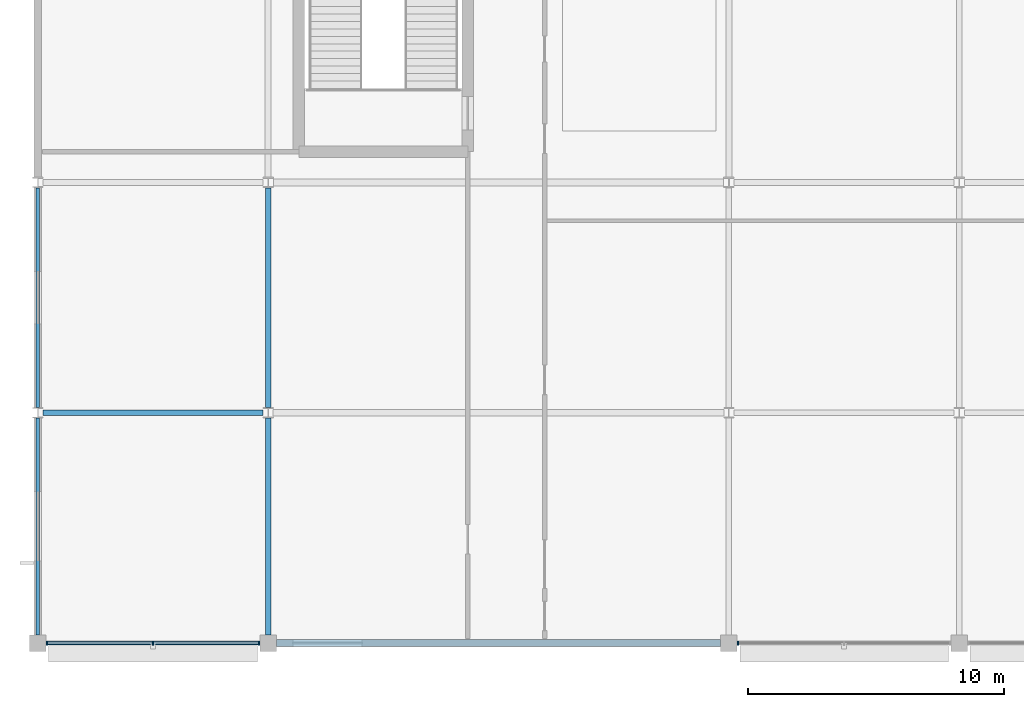
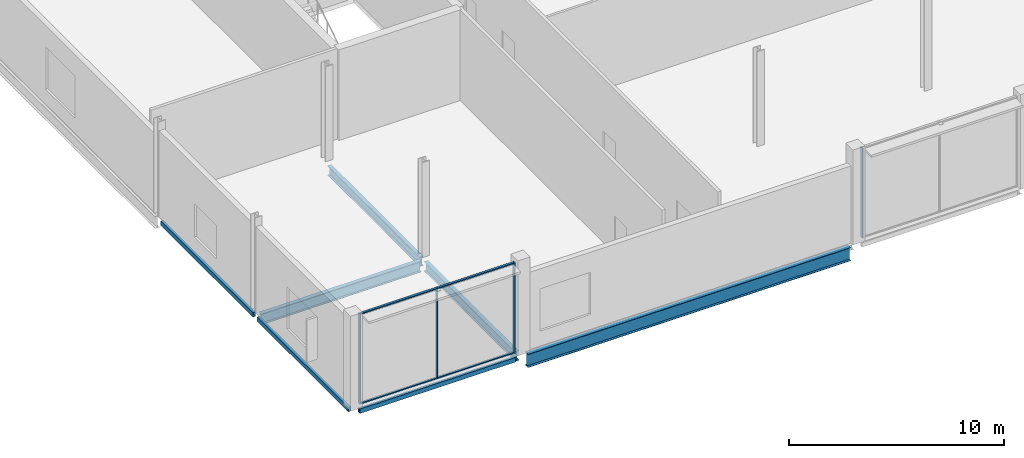
# One storey, part 12 of 111: 8 members, 7 beams, 2 elements without a shape of their own.
"""IFC4 building model written with IfcOpenShell, lengths in metres."""

from ifc_helpers import new_model, si_unit, direction, frame, origin, origin_2d, place, context, subcontext, project, spatial, rectangle, hollow_rectangle, i_section, extrude, material, layer, layer_set, material_profile, profile_set, type_object, element, aggregate, save


model = new_model("IFC4")

# Units and contexts
model_context = context("Model", 3, precision=1e-05, world=origin(), true_north=direction((0.0, 1.0)))
body_context = subcontext(model_context, "Body", "Model", "MODEL_VIEW")
ifc_project = project(units=[si_unit("LENGTHUNIT", "METRE"), si_unit("AREAUNIT", "SQUARE_METRE"), si_unit("VOLUMEUNIT", "CUBIC_METRE"), si_unit("PLANEANGLEUNIT", "RADIAN"), si_unit("MASSUNIT", "GRAM", prefix="KILO")], contexts=[model_context])

# Site, building, storey
site_placement = place(None, origin())
site = spatial("IfcSite", under=ifc_project, at=site_placement, CompositionType="ELEMENT")
building_placement = place(site_placement, origin())
building = spatial("IfcBuilding", under=site, at=building_placement, Name="Kisiwana Market Hall", CompositionType="ELEMENT")
storey_placement = place(building_placement, frame((0.0, 0.0, 11.39990234375)))
storey = spatial("IfcBuildingStorey", under=building, at=storey_placement, Name="L02", CompositionType="ELEMENT", Elevation=11.39990234375)

# Beams
ifc_material_1 = material(Name="Steel S355", Category="steel")
ifc_material_profile_1 = material_profile(ifc_material_1, i_section(OverallWidth=0.209228515625, OverallDepth=0.533203125, WebThickness=0.010009765625, FlangeThickness=0.015625, at=origin_2d()), Name="UB 533x210x92")
ifc_profile_set_1 = profile_set([ifc_material_profile_1], Name="Steel S355")
beam_type_1 = type_object("IfcBeamType", Name="BM-GIRD-UB533", PredefinedType="BEAM", material=ifc_profile_set_1)
beam_1_placement = place(storey_placement, frame((9.0, 0.321044921875, -0.516357421875), z_axis=(0.0, 1.0, 0.0), x_axis=(-1.0, 0.0, 0.0)))
element("IfcBeam", 1, at=beam_1_placement, inside=storey, type_object=beam_type_1, Name="Primary girder B-0601", PredefinedType="BEAM", context=body_context, shape_type="SweptSolid", body=[
    extrude(i_section(OverallWidth=0.209228515625, OverallDepth=0.533203125, WebThickness=0.010009765625, FlangeThickness=0.015625, at=origin_2d()), origin(), (0.0, 0.0, 1.0), 8.479736328125),
])
beam_2_placement = place(storey_placement, frame((9.0, 9.19921875, -0.516357421875), z_axis=(0.0, 1.0, 0.0), x_axis=(-1.0, 0.0, 0.0)))
element("IfcBeam", 2, at=beam_2_placement, inside=storey, type_object=beam_type_1, Name="Primary girder B-0602", PredefinedType="BEAM", context=body_context, shape_type="SweptSolid", body=[
    extrude(i_section(OverallWidth=0.209228515625, OverallDepth=0.533203125, WebThickness=0.010009765625, FlangeThickness=0.015625, at=origin_2d()), origin(), (0.0, 0.0, 1.0), 8.58740234375),
])
ifc_material_2 = material(Name="Steel S355", Category="steel")
ifc_material_profile_2 = material_profile(ifc_material_2, i_section(OverallWidth=0.22900390625, OverallDepth=0.6123046875, WebThickness=0.011962890625, FlangeThickness=0.01953125, at=origin_2d()), Name="UB 610x229x125")
ifc_profile_set_2 = profile_set([ifc_material_profile_2], Name="Steel S355")
beam_type_2 = type_object("IfcBeamType", Name="BM-GIRD-UB610H", PredefinedType="BEAM", material=ifc_profile_set_2)
beam_3_placement = place(storey_placement, frame((0.197509765625, 9.0, -0.555908203125), z_axis=(1.0, 0.0, 0.0), x_axis=(0.0, 1.0, 0.0)))
element("IfcBeam", 3, at=beam_3_placement, inside=storey, type_object=beam_type_2, Name="Floor beam B-0733", PredefinedType="BEAM", context=body_context, shape_type="SweptSolid", body=[
    extrude(i_section(OverallWidth=0.22900390625, OverallDepth=0.6123046875, WebThickness=0.011962890625, FlangeThickness=0.01953125, at=origin_2d()), origin(), (0.0, 0.0, 1.0), 8.60498046875),
])
ifc_material_3 = material(Name="Steel S355", Category="steel")
ifc_material_profile_3 = material_profile(ifc_material_3, i_section(OverallWidth=0.2666015625, OverallDepth=0.76220703125, WebThickness=0.014404296875, FlangeThickness=0.021484375, at=origin_2d()), Name="UB 762x267x173")
ifc_profile_set_3 = profile_set([ifc_material_profile_3], Name="Steel S355")
beam_type_3 = type_object("IfcBeamType", Name="BM-GIRD-UB762", PredefinedType="BEAM", material=ifc_profile_set_3)
beam_4_placement = place(storey_placement, frame((9.321044921875, 0.0, -0.631103515625), z_axis=(1.0, 0.0, 0.0), x_axis=(0.0, 1.0, 0.0)))
element("IfcBeam", 4, at=beam_4_placement, inside=storey, type_object=beam_type_3, Name="Floor beam B-0720", PredefinedType="BEAM", context=body_context, shape_type="SweptSolid", body=[
    extrude(i_section(OverallWidth=0.2666015625, OverallDepth=0.76220703125, WebThickness=0.014404296875, FlangeThickness=0.021484375, at=origin_2d()), origin(), (0.0, 0.0, 1.0), 17.35791015625),
])
ifc_material_4 = material(Name="Steel S355", Category="steel")
ifc_material_profile_4 = material_profile(ifc_material_4, hollow_rectangle(XDim=0.14990234375, YDim=0.25, WallThickness=0.010009765625, at=origin_2d()), Name="RHS 250x150x10.0")
ifc_profile_set_4 = profile_set([ifc_material_profile_4], Name="Steel S355")
beam_type_4 = type_object("IfcBeamType", Name="BM-SPAN-RHS250", PredefinedType="SPANDREL", material=ifc_profile_set_4)
beam_5_placement = place(storey_placement, frame((0.321044921875, 0.0, -0.375), z_axis=(1.0, 0.0, 0.0), x_axis=(0.0, 1.0, 0.0)))
element("IfcBeam", 5, at=beam_5_placement, inside=storey, type_object=beam_type_4, Name="Floor beam B-0719", PredefinedType="SPANDREL", context=body_context, shape_type="SweptSolid", body=[
    extrude(hollow_rectangle(XDim=0.14990234375, YDim=0.25, WallThickness=0.010009765625, at=origin_2d()), origin(), (0.0, 0.0, 1.0), 8.35791015625),
])
beam_6_placement = place(storey_placement, frame((0.0, 0.321044921875, -0.375), z_axis=(0.0, 1.0, 0.0), x_axis=(-1.0, 0.0, 0.0)))
element("IfcBeam", 6, at=beam_6_placement, inside=storey, type_object=beam_type_4, Name="Floor beam B-0825", PredefinedType="SPANDREL", context=body_context, shape_type="SweptSolid", body=[
    extrude(hollow_rectangle(XDim=0.14990234375, YDim=0.25, WallThickness=0.010009765625, at=origin_2d()), origin(), (0.0, 0.0, 1.0), 8.479736328125),
])
beam_7_placement = place(storey_placement, frame((0.0, 9.19921875, -0.375), z_axis=(0.0, 1.0, 0.0), x_axis=(-1.0, 0.0, 0.0)))
element("IfcBeam", 7, at=beam_7_placement, inside=storey, type_object=beam_type_4, Name="Floor beam B-0826", PredefinedType="SPANDREL", context=body_context, shape_type="SweptSolid", body=[
    extrude(hollow_rectangle(XDim=0.14990234375, YDim=0.25, WallThickness=0.010009765625, at=origin_2d()), origin(), (0.0, 0.0, 1.0), 8.58740234375),
])

# Curtain wall, members
ifc_material_5 = material(Name="Double-glazed solar-control low-E IGU", Category="glass")
ifc_layer = layer(ifc_material_5, 0.159912109375)
ifc_layer_set = layer_set([ifc_layer], Name="CW-GLD-W-6400")
curtain_wall_type = type_object("IfcCurtainWallType", Name="CW-GLD-W-6400", PredefinedType="USERDEFINED", material=ifc_layer_set)
curtain_wall_1_placement = place(storey_placement, origin())
curtain_wall_1 = element("IfcCurtainWall", 8, at=curtain_wall_1_placement, inside=storey, type_object=curtain_wall_type, Name="Unitised curtain wall CW-053 (L02)", ObjectType="UNITISED CURTAIN WALL", PredefinedType="USERDEFINED")
ifc_material_6 = material(Name="Aluminium alloy 6063-T6", Category="aluminium")
ifc_material_profile_5 = material_profile(ifc_material_6, rectangle(XDim=0.06005859375, YDim=0.159912109375, at=origin_2d()), Name="ALU MULLION 60x160")
ifc_profile_set_5 = profile_set([ifc_material_profile_5], Name="Aluminium alloy 6063-T6")
member_type_1 = type_object("IfcMemberType", Name="CW-MULL-60x160", PredefinedType="MULLION", material=ifc_profile_set_5)
member_1_placement = place(storey_placement, frame((0.35498046875, 0.0, 0.0), z_axis=(0.0, 0.0, 1.0), x_axis=(1.0, 0.0, 0.0)))
member_1 = element("IfcMember", 9, at=member_1_placement, type_object=member_type_1, Name="CW-053 mullion 1", PredefinedType="MULLION", context=body_context, shape_type="SweptSolid", body=[
    extrude(rectangle(XDim=0.06005859375, YDim=0.159912109375, at=origin_2d()), origin(), (0.0, 0.0, 1.0), 5.150146484375),
])
member_2_placement = place(storey_placement, frame((4.5, 0.0, 0.0), z_axis=(0.0, 0.0, 1.0), x_axis=(1.0, 0.0, 0.0)))
member_2 = element("IfcMember", 10, at=member_2_placement, type_object=member_type_1, Name="CW-053 mullion 2", PredefinedType="MULLION", context=body_context, shape_type="SweptSolid", body=[
    extrude(rectangle(XDim=0.06005859375, YDim=0.159912109375, at=origin_2d()), origin(), (0.0, 0.0, 1.0), 5.150146484375),
])
member_3_placement = place(storey_placement, frame((8.64501953125, 0.0, 0.0), z_axis=(0.0, 0.0, 1.0), x_axis=(1.0, 0.0, 0.0)))
member_3 = element("IfcMember", 11, at=member_3_placement, type_object=member_type_1, Name="CW-053 mullion 3", PredefinedType="MULLION", context=body_context, shape_type="SweptSolid", body=[
    extrude(rectangle(XDim=0.06005859375, YDim=0.159912109375, at=origin_2d()), origin(), (0.0, 0.0, 1.0), 5.150146484375),
])

# Curtain wall, member
curtain_wall_2_placement = place(storey_placement, origin())
curtain_wall_2 = element("IfcCurtainWall", 12, at=curtain_wall_2_placement, inside=storey, type_object=curtain_wall_type, Name="Unitised curtain wall CW-054 (L02)", ObjectType="UNITISED CURTAIN WALL", PredefinedType="USERDEFINED")
member_4_placement = place(storey_placement, frame((27.35498046875, 0.0, 0.0), z_axis=(0.0, 0.0, 1.0), x_axis=(1.0, 0.0, 0.0)))
member_4 = element("IfcMember", 13, at=member_4_placement, type_object=member_type_1, Name="CW-054 mullion 1", PredefinedType="MULLION", context=body_context, shape_type="SweptSolid", body=[
    extrude(rectangle(XDim=0.06005859375, YDim=0.159912109375, at=origin_2d()), origin(), (0.0, 0.0, 1.0), 5.150146484375),
])
aggregate(curtain_wall_2, [member_4])

# Member
ifc_material_7 = material(Name="Aluminium alloy 6063-T6", Category="aluminium")
ifc_material_profile_6 = material_profile(ifc_material_7, rectangle(XDim=0.1201171875, YDim=0.06005859375, at=origin_2d()), Name="ALU TRANSOM 60x120")
ifc_profile_set_6 = profile_set([ifc_material_profile_6], Name="Aluminium alloy 6063-T6")
member_type_2 = type_object("IfcMemberType", Name="CW-TRAN-60x120", PredefinedType="USERDEFINED", material=ifc_profile_set_6)
member_5_placement = place(storey_placement, frame((0.385009765625, 0.0, 0.030029296875), z_axis=(1.0, 0.0, 0.0), x_axis=(0.0, 1.0, 0.0)))
member_5 = element("IfcMember", 14, at=member_5_placement, type_object=member_type_2, Name="CW-053 transom 1.1", ObjectType="TRANSOM", PredefinedType="USERDEFINED", context=body_context, shape_type="SweptSolid", body=[
    extrude(rectangle(XDim=0.1201171875, YDim=0.06005859375, at=origin_2d()), origin(), (0.0, 0.0, 1.0), 4.0849609375),
])

member_6_placement = place(storey_placement, frame((0.385009765625, 0.0, 5.1201171875), z_axis=(1.0, 0.0, 0.0), x_axis=(0.0, 1.0, 0.0)))
member_6 = element("IfcMember", 15, at=member_6_placement, type_object=member_type_2, Name="CW-053 transom 1.2", ObjectType="TRANSOM", PredefinedType="USERDEFINED", context=body_context, shape_type="SweptSolid", body=[
    extrude(rectangle(XDim=0.1201171875, YDim=0.06005859375, at=origin_2d()), origin(), (0.0, 0.0, 1.0), 4.0849609375),
])

member_7_placement = place(storey_placement, frame((4.530029296875, 0.0, 0.030029296875), z_axis=(1.0, 0.0, 0.0), x_axis=(0.0, 1.0, 0.0)))
member_7 = element("IfcMember", 16, at=member_7_placement, type_object=member_type_2, Name="CW-053 transom 2.1", ObjectType="TRANSOM", PredefinedType="USERDEFINED", context=body_context, shape_type="SweptSolid", body=[
    extrude(rectangle(XDim=0.1201171875, YDim=0.06005859375, at=origin_2d()), origin(), (0.0, 0.0, 1.0), 4.0849609375),
])

member_8_placement = place(storey_placement, frame((4.530029296875, 0.0, 5.1201171875), z_axis=(1.0, 0.0, 0.0), x_axis=(0.0, 1.0, 0.0)))
member_8 = element("IfcMember", 17, at=member_8_placement, type_object=member_type_2, Name="CW-053 transom 2.2", ObjectType="TRANSOM", PredefinedType="USERDEFINED", context=body_context, shape_type="SweptSolid", body=[
    extrude(rectangle(XDim=0.1201171875, YDim=0.06005859375, at=origin_2d()), origin(), (0.0, 0.0, 1.0), 4.0849609375),
])

aggregate(curtain_wall_1, [member_1, member_2, member_3, member_5, member_6, member_7, member_8])

save(model, "model.ifc")
